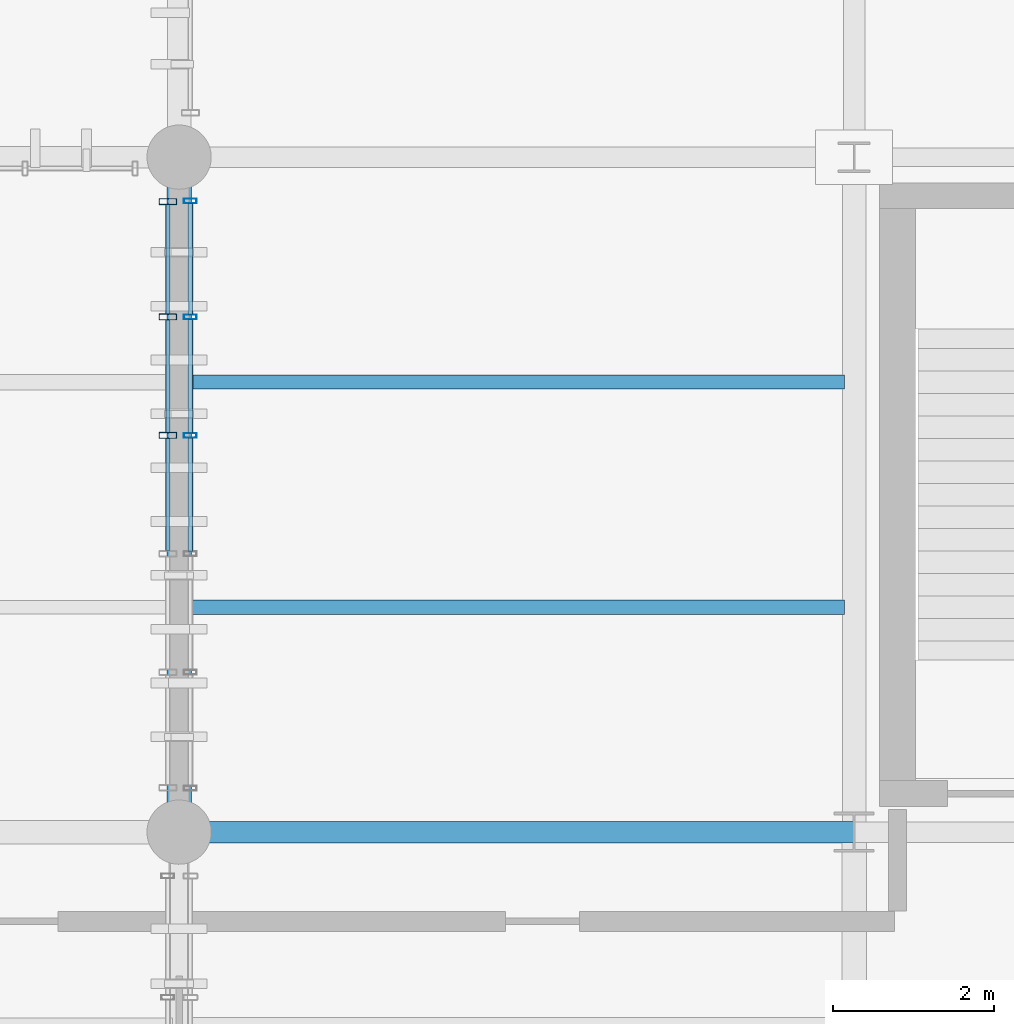
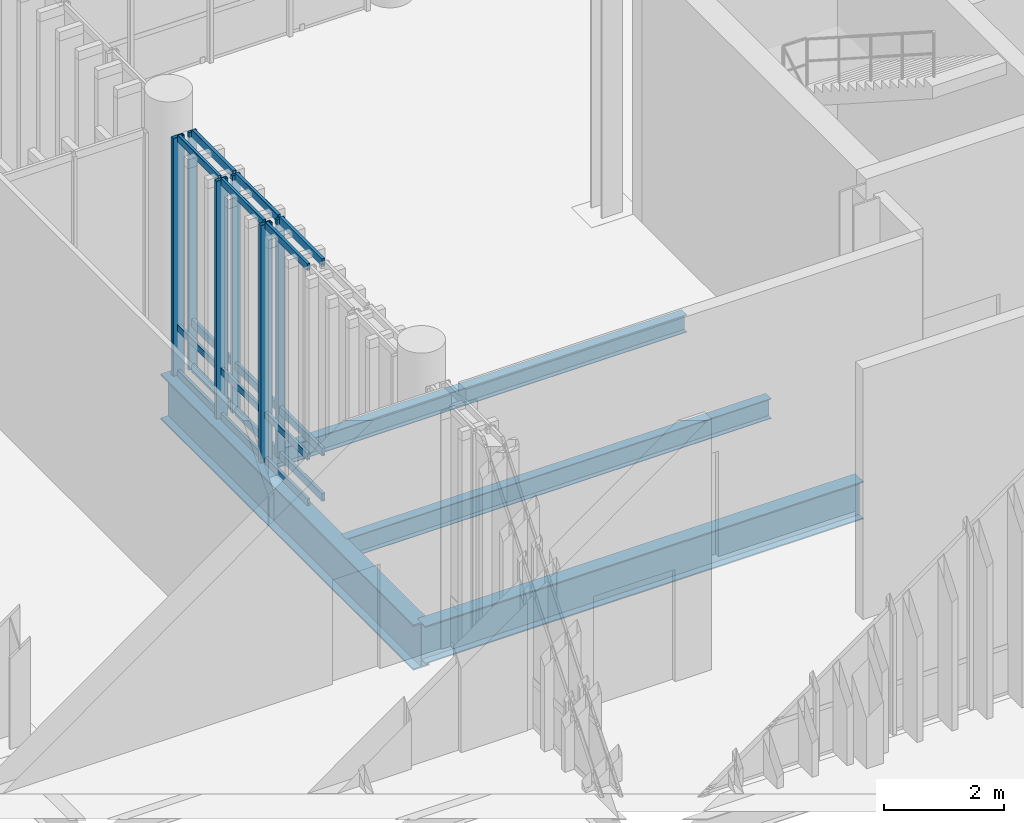
# One storey, part 34 of 112: 24 members, 4 beams, 2 elements without a shape of their own.
"""IFC4 building model written with IfcOpenShell, lengths in metres."""

from ifc_helpers import new_model, si_unit, direction, frame, origin_with_axes, origin_2d_with_axis, place, context, subcontext, project, spatial, hollow_rectangle, i_section, extrude, material, material_profile, profile_set, type_object, element, aggregate, save


model = new_model("IFC4")

# Units and contexts
model_context = context("Model", 3, precision=1e-05, world=origin_with_axes(), true_north=direction((0.0, 1.0)))
body_context = subcontext(model_context, "Body", "Model", "MODEL_VIEW")
ifc_project = project(units=[si_unit("LENGTHUNIT", "METRE"), si_unit("AREAUNIT", "SQUARE_METRE"), si_unit("VOLUMEUNIT", "CUBIC_METRE"), si_unit("PLANEANGLEUNIT", "RADIAN"), si_unit("MASSUNIT", "GRAM", prefix="KILO"), si_unit("THERMODYNAMICTEMPERATUREUNIT", "KELVIN")], contexts=[model_context])

# Site, building, storey
site_placement = place(None, origin_with_axes())
site = spatial("IfcSite", under=ifc_project, at=site_placement, CompositionType="ELEMENT")
building_placement = place(site_placement, origin_with_axes())
building = spatial("IfcBuilding", under=site, at=building_placement, Name="Montbau Bow Law Courts", CompositionType="ELEMENT")
storey_placement = place(building_placement, origin_with_axes())
storey = spatial("IfcBuildingStorey", under=building, at=storey_placement, Name="L00", CompositionType="ELEMENT", Elevation=0.0)

# Beams
ifc_material_1 = material(Name="Steel CSA G40.21 Grade 350W (350 MPa)", Category="steel")
ifc_material_profile_1 = material_profile(ifc_material_1, i_section(OverallWidth=0.306, OverallDepth=0.919, WebThickness=0.0173, FlangeThickness=0.0279, at=origin_2d_with_axis()), Name="W920X253", Category="Main", Priority=0)
ifc_profile_set_1 = profile_set([ifc_material_profile_1], Name="Steel CSA G40.21 Grade 350W (350 MPa)")
beam_type_1 = type_object("IfcBeamType", Name="B-FLR-01", PredefinedType="BEAM", material=ifc_profile_set_1)
beam_1_placement = place(None, frame((46.8, 46.2, -0.8), z_axis=(0.0, 1.0, 0.0), x_axis=(-1.0, 0.0, 0.0)))
element("IfcBeam", 1, at=beam_1_placement, inside=storey, type_object=beam_type_1, Name="BM-L00-S0272:bm2_0275", PredefinedType="BEAM", context=body_context, shape_type="SweptSolid", body=[
    extrude(i_section(OverallWidth=0.306, OverallDepth=0.919, WebThickness=0.0173, FlangeThickness=0.0279, at=origin_2d_with_axis()), origin_with_axes(), (0.0, 0.0, 1.0), 8.4),
])
ifc_material_profile_2 = material_profile(ifc_material_1, i_section(OverallWidth=0.267, OverallDepth=0.766, WebThickness=0.0149, FlangeThickness=0.0236, at=origin_2d_with_axis()), Name="W760X185", Category="Main", Priority=0)
ifc_profile_set_2 = profile_set([ifc_material_profile_2], Name="Steel CSA G40.21 Grade 350W (350 MPa)")
beam_type_2 = type_object("IfcBeamType", Name="B-FLR-03", PredefinedType="BEAM", material=ifc_profile_set_2)
beam_2_placement = place(None, frame((46.8, 46.2, -0.723), z_axis=(1.0, 0.0, 0.0), x_axis=(0.0, 1.0, 0.0)))
element("IfcBeam", 2, at=beam_2_placement, inside=storey, type_object=beam_type_2, Name="BM-L00-S0202:bm2_0205", PredefinedType="BEAM", context=body_context, shape_type="SweptSolid", body=[
    extrude(i_section(OverallWidth=0.267, OverallDepth=0.766, WebThickness=0.0149, FlangeThickness=0.0236, at=origin_2d_with_axis()), origin_with_axes(), (0.0, 0.0, 1.0), 8.4),
])
ifc_material_profile_3 = material_profile(ifc_material_1, i_section(OverallWidth=0.179, OverallDepth=0.41, WebThickness=0.0088, FlangeThickness=0.0144, at=origin_2d_with_axis()), Name="W410X67", Category="Main", Priority=0)
ifc_profile_set_3 = profile_set([ifc_material_profile_3], Name="Steel CSA G40.21 Grade 350W (350 MPa)")
beam_type_3 = type_object("IfcBeamType", Name="B-JST-02", PredefinedType="JOIST", material=ifc_profile_set_3)
beam_3_placement = place(None, frame((46.929, 49.0, -0.545), z_axis=(1.0, 0.0, 0.0), x_axis=(0.0, 1.0, 0.0)))
element("IfcBeam", 3, at=beam_3_placement, inside=storey, type_object=beam_type_3, Name="JST-L00-S0049:jst2_0049", PredefinedType="JOIST", context=body_context, shape_type="SweptSolid", body=[
    extrude(i_section(OverallWidth=0.179, OverallDepth=0.41, WebThickness=0.0088, FlangeThickness=0.0144, at=origin_2d_with_axis()), origin_with_axes(), (0.0, 0.0, 1.0), 8.149),
])
ifc_material_profile_4 = material_profile(ifc_material_1, i_section(OverallWidth=0.172, OverallDepth=0.358, WebThickness=0.0079, FlangeThickness=0.0131, at=origin_2d_with_axis()), Name="W360X57", Category="Main", Priority=0)
ifc_profile_set_4 = profile_set([ifc_material_profile_4], Name="Steel CSA G40.21 Grade 350W (350 MPa)")
beam_type_4 = type_object("IfcBeamType", Name="B-JST-03", PredefinedType="JOIST", material=ifc_profile_set_4)
beam_4_placement = place(None, frame((46.929, 51.8, -0.519), z_axis=(1.0, 0.0, 0.0), x_axis=(0.0, 1.0, 0.0)))
element("IfcBeam", 4, at=beam_4_placement, inside=storey, type_object=beam_type_4, Name="JST-L00-S0050:jst2_0050", PredefinedType="JOIST", context=body_context, shape_type="SweptSolid", body=[
    extrude(i_section(OverallWidth=0.172, OverallDepth=0.358, WebThickness=0.0079, FlangeThickness=0.0131, at=origin_2d_with_axis()), origin_with_axes(), (0.0, 0.0, 1.0), 8.149),
])

# Curtain wall, members
ifc_material_2 = material(Name="Thermally Broken Extruded Aluminium AA 6063-T6", Category="aluminium")
curtain_wall_type_1 = type_object("IfcCurtainWallType", Name="CW-TRC-01", PredefinedType="NOTDEFINED", material=ifc_material_2)
curtain_wall_1_placement = place(None, frame((46.66, 46.715, 0.0), z_axis=(0.0, 0.0, 1.0), x_axis=(1.0, 0.0, 0.0)))
curtain_wall_1 = element("IfcCurtainWall", 5, at=curtain_wall_1_placement, inside=storey, type_object=curtain_wall_type_1, Name="CW-L00-015:cw_0015", PredefinedType="NOTDEFINED")
ifc_material_profile_5 = material_profile(ifc_material_2, hollow_rectangle(XDim=0.075, YDim=0.22, WallThickness=0.005, InnerFilletRadius=0.01, OuterFilletRadius=0.005, at=origin_2d_with_axis()), Name="CWM-220X75", Category="Main", Priority=0)
ifc_profile_set_5 = profile_set([ifc_material_profile_5], Name="Thermally Broken Extruded Aluminium AA 6063-T6")
member_type_1 = type_object("IfcMemberType", Name="M-MUL-01", PredefinedType="MULLION", material=ifc_profile_set_5)
member_1_placement = place(None, frame((46.66, 51.137, 0.0), z_axis=(0.0, 0.0, 1.0), x_axis=(0.0, 1.0, 0.0)))
member_1 = element("IfcMember", 6, at=member_1_placement, type_object=member_type_1, Name="CW-L00-015-M04:cw_0015_M04", PredefinedType="MULLION", context=body_context, shape_type="SweptSolid", body=[
    extrude(hollow_rectangle(XDim=0.075, YDim=0.22, WallThickness=0.005, InnerFilletRadius=0.01, OuterFilletRadius=0.005, at=origin_2d_with_axis()), origin_with_axes(), (0.0, 0.0, 1.0), 4.82),
])
member_2_placement = place(None, frame((46.66, 52.611, 0.0), z_axis=(0.0, 0.0, 1.0), x_axis=(0.0, 1.0, 0.0)))
member_2 = element("IfcMember", 7, at=member_2_placement, type_object=member_type_1, Name="CW-L00-015-M05:cw_0015_M05", PredefinedType="MULLION", context=body_context, shape_type="SweptSolid", body=[
    extrude(hollow_rectangle(XDim=0.075, YDim=0.22, WallThickness=0.005, InnerFilletRadius=0.01, OuterFilletRadius=0.005, at=origin_2d_with_axis()), origin_with_axes(), (0.0, 0.0, 1.0), 4.82),
])
member_3_placement = place(None, frame((46.66, 54.047, 0.0), z_axis=(0.0, 0.0, 1.0), x_axis=(0.0, 1.0, 0.0)))
member_3 = element("IfcMember", 8, at=member_3_placement, type_object=member_type_1, Name="CW-L00-015-M06:cw_0015_M06", PredefinedType="MULLION", context=body_context, shape_type="SweptSolid", body=[
    extrude(hollow_rectangle(XDim=0.075, YDim=0.22, WallThickness=0.005, InnerFilletRadius=0.01, OuterFilletRadius=0.005, at=origin_2d_with_axis()), origin_with_axes(), (0.0, 0.0, 1.0), 4.82),
])

curtain_wall_type_2 = type_object("IfcCurtainWallType", Name="CW-CRM-01", PredefinedType="NOTDEFINED", material=ifc_material_2)
curtain_wall_2_placement = place(None, frame((46.94, 46.715, 0.0), z_axis=(0.0, 0.0, 1.0), x_axis=(1.0, 0.0, 0.0)))
curtain_wall_2 = element("IfcCurtainWall", 9, at=curtain_wall_2_placement, inside=storey, type_object=curtain_wall_type_2, Name="CW-L00-134:cw_0134", PredefinedType="NOTDEFINED")
ifc_material_profile_6 = material_profile(ifc_material_2, hollow_rectangle(XDim=0.06, YDim=0.16, WallThickness=0.004, InnerFilletRadius=0.008, OuterFilletRadius=0.004, at=origin_2d_with_axis()), Name="CWM-160X60", Category="Main", Priority=0)
ifc_profile_set_6 = profile_set([ifc_material_profile_6], Name="Thermally Broken Extruded Aluminium AA 6063-T6")
member_type_2 = type_object("IfcMemberType", Name="M-MUL-03", PredefinedType="MULLION", material=ifc_profile_set_6)
member_4_placement = place(None, frame((46.94, 51.137, 0.0), z_axis=(0.0, 0.0, 1.0), x_axis=(0.0, 1.0, 0.0)))
member_4 = element("IfcMember", 10, at=member_4_placement, type_object=member_type_2, Name="CW-L00-134-M04:cw_0134_M04", PredefinedType="MULLION", context=body_context, shape_type="SweptSolid", body=[
    extrude(hollow_rectangle(XDim=0.06, YDim=0.16, WallThickness=0.004, InnerFilletRadius=0.008, OuterFilletRadius=0.004, at=origin_2d_with_axis()), origin_with_axes(), (0.0, 0.0, 1.0), 4.82),
])
member_5_placement = place(None, frame((46.94, 52.611, 0.0), z_axis=(0.0, 0.0, 1.0), x_axis=(0.0, 1.0, 0.0)))
member_5 = element("IfcMember", 11, at=member_5_placement, type_object=member_type_2, Name="CW-L00-134-M05:cw_0134_M05", PredefinedType="MULLION", context=body_context, shape_type="SweptSolid", body=[
    extrude(hollow_rectangle(XDim=0.06, YDim=0.16, WallThickness=0.004, InnerFilletRadius=0.008, OuterFilletRadius=0.004, at=origin_2d_with_axis()), origin_with_axes(), (0.0, 0.0, 1.0), 4.82),
])
member_6_placement = place(None, frame((46.94, 54.055, 0.0), z_axis=(0.0, 0.0, 1.0), x_axis=(0.0, 1.0, 0.0)))
member_6 = element("IfcMember", 12, at=member_6_placement, type_object=member_type_2, Name="CW-L00-134-M06:cw_0134_M06", PredefinedType="MULLION", context=body_context, shape_type="SweptSolid", body=[
    extrude(hollow_rectangle(XDim=0.06, YDim=0.16, WallThickness=0.004, InnerFilletRadius=0.008, OuterFilletRadius=0.004, at=origin_2d_with_axis()), origin_with_axes(), (0.0, 0.0, 1.0), 4.82),
])
ifc_material_profile_7 = material_profile(ifc_material_2, hollow_rectangle(XDim=0.06, YDim=0.16, WallThickness=0.004, InnerFilletRadius=0.008, OuterFilletRadius=0.004, at=origin_2d_with_axis()), Name="CWT-160X60", Category="Main", Priority=0)
ifc_profile_set_7 = profile_set([ifc_material_profile_7], Name="Thermally Broken Extruded Aluminium AA 6063-T6")
member_type_3 = type_object("IfcMemberType", Name="M-TRN-01", PredefinedType="USERDEFINED", material=ifc_profile_set_7)
member_7_placement = place(None, frame((46.94, 49.695, 0.03), z_axis=(0.0, 1.0, 0.0), x_axis=(-1.0, 0.0, 0.0)))
member_7 = element("IfcMember", 13, at=member_7_placement, type_object=member_type_3, Name="CW-L00-134-T03-1:cw_0134_T03_1", ObjectType="TRANSOM", PredefinedType="USERDEFINED", context=body_context, shape_type="SweptSolid", body=[
    extrude(hollow_rectangle(XDim=0.06, YDim=0.16, WallThickness=0.004, InnerFilletRadius=0.008, OuterFilletRadius=0.004, at=origin_2d_with_axis()), origin_with_axes(), (0.0, 0.0, 1.0), 1.41),
])
member_8_placement = place(None, frame((46.94, 49.695, 0.95), z_axis=(0.0, 1.0, 0.0), x_axis=(-1.0, 0.0, 0.0)))
member_8 = element("IfcMember", 14, at=member_8_placement, type_object=member_type_3, Name="CW-L00-134-T03-2:cw_0134_T03_2", ObjectType="TRANSOM", PredefinedType="USERDEFINED", context=body_context, shape_type="SweptSolid", body=[
    extrude(hollow_rectangle(XDim=0.06, YDim=0.16, WallThickness=0.004, InnerFilletRadius=0.008, OuterFilletRadius=0.004, at=origin_2d_with_axis()), origin_with_axes(), (0.0, 0.0, 1.0), 1.41),
])
member_9_placement = place(None, frame((46.94, 49.695, 4.79), z_axis=(0.0, 1.0, 0.0), x_axis=(-1.0, 0.0, 0.0)))
member_9 = element("IfcMember", 15, at=member_9_placement, type_object=member_type_3, Name="CW-L00-134-T03-3:cw_0134_T03_3", ObjectType="TRANSOM", PredefinedType="USERDEFINED", context=body_context, shape_type="SweptSolid", body=[
    extrude(hollow_rectangle(XDim=0.06, YDim=0.16, WallThickness=0.004, InnerFilletRadius=0.008, OuterFilletRadius=0.004, at=origin_2d_with_axis()), origin_with_axes(), (0.0, 0.0, 1.0), 1.41),
])
member_10_placement = place(None, frame((46.94, 51.169, 0.03), z_axis=(0.0, 1.0, 0.0), x_axis=(-1.0, 0.0, 0.0)))
member_10 = element("IfcMember", 16, at=member_10_placement, type_object=member_type_3, Name="CW-L00-134-T04-1:cw_0134_T04_1", ObjectType="TRANSOM", PredefinedType="USERDEFINED", context=body_context, shape_type="SweptSolid", body=[
    extrude(hollow_rectangle(XDim=0.06, YDim=0.16, WallThickness=0.004, InnerFilletRadius=0.008, OuterFilletRadius=0.004, at=origin_2d_with_axis()), origin_with_axes(), (0.0, 0.0, 1.0), 1.41),
])
member_11_placement = place(None, frame((46.94, 51.169, 0.95), z_axis=(0.0, 1.0, 0.0), x_axis=(-1.0, 0.0, 0.0)))
member_11 = element("IfcMember", 17, at=member_11_placement, type_object=member_type_3, Name="CW-L00-134-T04-2:cw_0134_T04_2", ObjectType="TRANSOM", PredefinedType="USERDEFINED", context=body_context, shape_type="SweptSolid", body=[
    extrude(hollow_rectangle(XDim=0.06, YDim=0.16, WallThickness=0.004, InnerFilletRadius=0.008, OuterFilletRadius=0.004, at=origin_2d_with_axis()), origin_with_axes(), (0.0, 0.0, 1.0), 1.41),
])
member_12_placement = place(None, frame((46.94, 51.169, 4.79), z_axis=(0.0, 1.0, 0.0), x_axis=(-1.0, 0.0, 0.0)))
member_12 = element("IfcMember", 18, at=member_12_placement, type_object=member_type_3, Name="CW-L00-134-T04-3:cw_0134_T04_3", ObjectType="TRANSOM", PredefinedType="USERDEFINED", context=body_context, shape_type="SweptSolid", body=[
    extrude(hollow_rectangle(XDim=0.06, YDim=0.16, WallThickness=0.004, InnerFilletRadius=0.008, OuterFilletRadius=0.004, at=origin_2d_with_axis()), origin_with_axes(), (0.0, 0.0, 1.0), 1.41),
])
member_13_placement = place(None, frame((46.94, 52.643, 0.03), z_axis=(0.0, 1.0, 0.0), x_axis=(-1.0, 0.0, 0.0)))
member_13 = element("IfcMember", 19, at=member_13_placement, type_object=member_type_3, Name="CW-L00-134-T05-1:cw_0134_T05_1", ObjectType="TRANSOM", PredefinedType="USERDEFINED", context=body_context, shape_type="SweptSolid", body=[
    extrude(hollow_rectangle(XDim=0.06, YDim=0.16, WallThickness=0.004, InnerFilletRadius=0.008, OuterFilletRadius=0.004, at=origin_2d_with_axis()), origin_with_axes(), (0.0, 0.0, 1.0), 1.38),
])
member_14_placement = place(None, frame((46.94, 52.643, 0.95), z_axis=(0.0, 1.0, 0.0), x_axis=(-1.0, 0.0, 0.0)))
member_14 = element("IfcMember", 20, at=member_14_placement, type_object=member_type_3, Name="CW-L00-134-T05-2:cw_0134_T05_2", ObjectType="TRANSOM", PredefinedType="USERDEFINED", context=body_context, shape_type="SweptSolid", body=[
    extrude(hollow_rectangle(XDim=0.06, YDim=0.16, WallThickness=0.004, InnerFilletRadius=0.008, OuterFilletRadius=0.004, at=origin_2d_with_axis()), origin_with_axes(), (0.0, 0.0, 1.0), 1.38),
])
member_15_placement = place(None, frame((46.94, 52.643, 4.79), z_axis=(0.0, 1.0, 0.0), x_axis=(-1.0, 0.0, 0.0)))
member_15 = element("IfcMember", 21, at=member_15_placement, type_object=member_type_3, Name="CW-L00-134-T05-3:cw_0134_T05_3", ObjectType="TRANSOM", PredefinedType="USERDEFINED", context=body_context, shape_type="SweptSolid", body=[
    extrude(hollow_rectangle(XDim=0.06, YDim=0.16, WallThickness=0.004, InnerFilletRadius=0.008, OuterFilletRadius=0.004, at=origin_2d_with_axis()), origin_with_axes(), (0.0, 0.0, 1.0), 1.38),
])
aggregate(curtain_wall_2, [member_4, member_5, member_6, member_7, member_8, member_9, member_10, member_11, member_12, member_13, member_14, member_15])

# Member
ifc_material_profile_8 = material_profile(ifc_material_2, hollow_rectangle(XDim=0.055, YDim=0.14, WallThickness=0.004, InnerFilletRadius=0.008, OuterFilletRadius=0.004, at=origin_2d_with_axis()), Name="CWT-140X55", Category="Main", Priority=0)
ifc_profile_set_8 = profile_set([ifc_material_profile_8], Name="Thermally Broken Extruded Aluminium AA 6063-T6")
member_type_4 = type_object("IfcMemberType", Name="M-TRN-02", PredefinedType="USERDEFINED", material=ifc_profile_set_8)
member_16_placement = place(None, frame((46.66, 49.702, 0.028), z_axis=(0.0, 1.0, 0.0), x_axis=(-1.0, 0.0, 0.0)))
member_16 = element("IfcMember", 22, at=member_16_placement, type_object=member_type_4, Name="CW-L00-015-T03-1:cw_0015_T03_1", ObjectType="TRANSOM", PredefinedType="USERDEFINED", context=body_context, shape_type="SweptSolid", body=[
    extrude(hollow_rectangle(XDim=0.055, YDim=0.14, WallThickness=0.004, InnerFilletRadius=0.008, OuterFilletRadius=0.004, at=origin_2d_with_axis()), origin_with_axes(), (0.0, 0.0, 1.0), 1.396),
])

member_17_placement = place(None, frame((46.66, 49.702, 0.95), z_axis=(0.0, 1.0, 0.0), x_axis=(-1.0, 0.0, 0.0)))
member_17 = element("IfcMember", 23, at=member_17_placement, type_object=member_type_4, Name="CW-L00-015-T03-2:cw_0015_T03_2", ObjectType="TRANSOM", PredefinedType="USERDEFINED", context=body_context, shape_type="SweptSolid", body=[
    extrude(hollow_rectangle(XDim=0.055, YDim=0.14, WallThickness=0.004, InnerFilletRadius=0.008, OuterFilletRadius=0.004, at=origin_2d_with_axis()), origin_with_axes(), (0.0, 0.0, 1.0), 1.396),
])

member_18_placement = place(None, frame((46.66, 49.702, 4.793), z_axis=(0.0, 1.0, 0.0), x_axis=(-1.0, 0.0, 0.0)))
member_18 = element("IfcMember", 24, at=member_18_placement, type_object=member_type_4, Name="CW-L00-015-T03-3:cw_0015_T03_3", ObjectType="TRANSOM", PredefinedType="USERDEFINED", context=body_context, shape_type="SweptSolid", body=[
    extrude(hollow_rectangle(XDim=0.055, YDim=0.14, WallThickness=0.004, InnerFilletRadius=0.008, OuterFilletRadius=0.004, at=origin_2d_with_axis()), origin_with_axes(), (0.0, 0.0, 1.0), 1.396),
])

member_19_placement = place(None, frame((46.66, 51.176, 0.028), z_axis=(0.0, 1.0, 0.0), x_axis=(-1.0, 0.0, 0.0)))
member_19 = element("IfcMember", 25, at=member_19_placement, type_object=member_type_4, Name="CW-L00-015-T04-1:cw_0015_T04_1", ObjectType="TRANSOM", PredefinedType="USERDEFINED", context=body_context, shape_type="SweptSolid", body=[
    extrude(hollow_rectangle(XDim=0.055, YDim=0.14, WallThickness=0.004, InnerFilletRadius=0.008, OuterFilletRadius=0.004, at=origin_2d_with_axis()), origin_with_axes(), (0.0, 0.0, 1.0), 1.396),
])

member_20_placement = place(None, frame((46.66, 51.176, 0.95), z_axis=(0.0, 1.0, 0.0), x_axis=(-1.0, 0.0, 0.0)))
member_20 = element("IfcMember", 26, at=member_20_placement, type_object=member_type_4, Name="CW-L00-015-T04-2:cw_0015_T04_2", ObjectType="TRANSOM", PredefinedType="USERDEFINED", context=body_context, shape_type="SweptSolid", body=[
    extrude(hollow_rectangle(XDim=0.055, YDim=0.14, WallThickness=0.004, InnerFilletRadius=0.008, OuterFilletRadius=0.004, at=origin_2d_with_axis()), origin_with_axes(), (0.0, 0.0, 1.0), 1.396),
])

member_21_placement = place(None, frame((46.66, 51.176, 4.793), z_axis=(0.0, 1.0, 0.0), x_axis=(-1.0, 0.0, 0.0)))
member_21 = element("IfcMember", 27, at=member_21_placement, type_object=member_type_4, Name="CW-L00-015-T04-3:cw_0015_T04_3", ObjectType="TRANSOM", PredefinedType="USERDEFINED", context=body_context, shape_type="SweptSolid", body=[
    extrude(hollow_rectangle(XDim=0.055, YDim=0.14, WallThickness=0.004, InnerFilletRadius=0.008, OuterFilletRadius=0.004, at=origin_2d_with_axis()), origin_with_axes(), (0.0, 0.0, 1.0), 1.396),
])

member_22_placement = place(None, frame((46.66, 52.65, 0.028), z_axis=(0.0, 1.0, 0.0), x_axis=(-1.0, 0.0, 0.0)))
member_22 = element("IfcMember", 28, at=member_22_placement, type_object=member_type_4, Name="CW-L00-015-T05-1:cw_0015_T05_1", ObjectType="TRANSOM", PredefinedType="USERDEFINED", context=body_context, shape_type="SweptSolid", body=[
    extrude(hollow_rectangle(XDim=0.055, YDim=0.14, WallThickness=0.004, InnerFilletRadius=0.008, OuterFilletRadius=0.004, at=origin_2d_with_axis()), origin_with_axes(), (0.0, 0.0, 1.0), 1.358),
])

member_23_placement = place(None, frame((46.66, 52.65, 0.95), z_axis=(0.0, 1.0, 0.0), x_axis=(-1.0, 0.0, 0.0)))
member_23 = element("IfcMember", 29, at=member_23_placement, type_object=member_type_4, Name="CW-L00-015-T05-2:cw_0015_T05_2", ObjectType="TRANSOM", PredefinedType="USERDEFINED", context=body_context, shape_type="SweptSolid", body=[
    extrude(hollow_rectangle(XDim=0.055, YDim=0.14, WallThickness=0.004, InnerFilletRadius=0.008, OuterFilletRadius=0.004, at=origin_2d_with_axis()), origin_with_axes(), (0.0, 0.0, 1.0), 1.358),
])

member_24_placement = place(None, frame((46.66, 52.65, 4.793), z_axis=(0.0, 1.0, 0.0), x_axis=(-1.0, 0.0, 0.0)))
member_24 = element("IfcMember", 30, at=member_24_placement, type_object=member_type_4, Name="CW-L00-015-T05-3:cw_0015_T05_3", ObjectType="TRANSOM", PredefinedType="USERDEFINED", context=body_context, shape_type="SweptSolid", body=[
    extrude(hollow_rectangle(XDim=0.055, YDim=0.14, WallThickness=0.004, InnerFilletRadius=0.008, OuterFilletRadius=0.004, at=origin_2d_with_axis()), origin_with_axes(), (0.0, 0.0, 1.0), 1.358),
])

aggregate(curtain_wall_1, [member_1, member_2, member_3, member_16, member_17, member_18, member_19, member_20, member_21, member_22, member_23, member_24])

save(model, "model.ifc")
